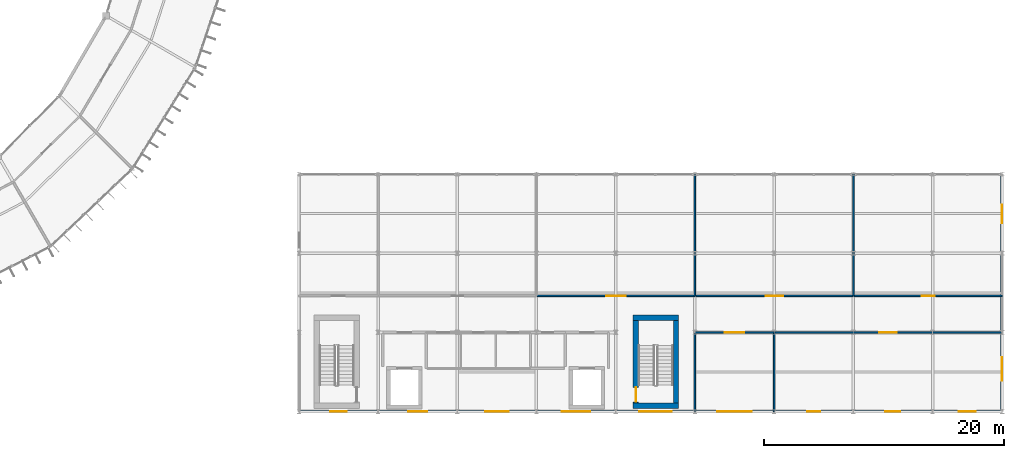
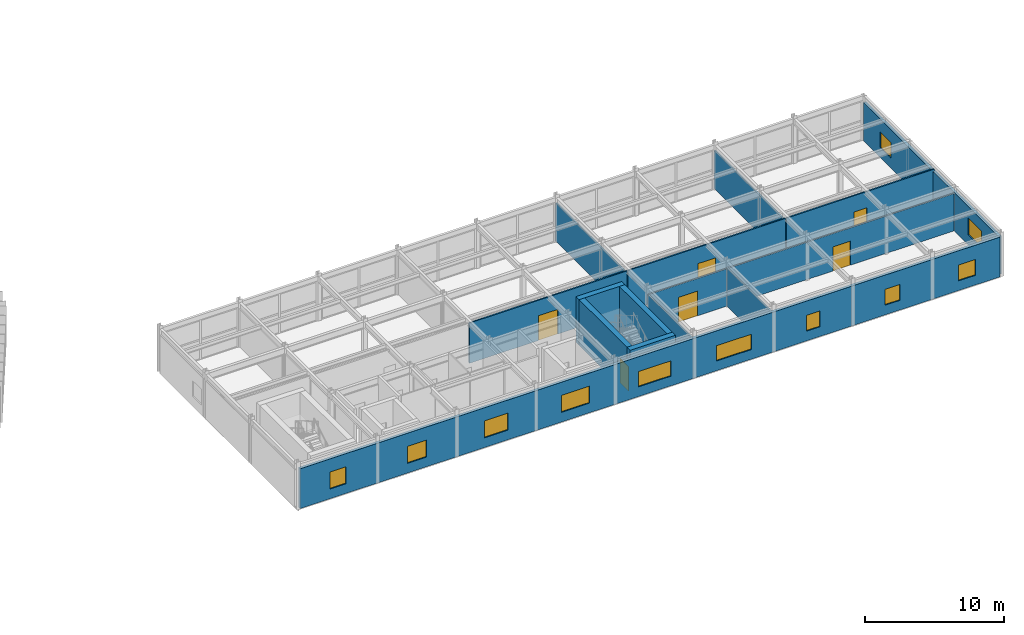
# One storey, part 122 of 134: 15 walls, 11 windows, 6 doors, 17 openings.
"""IFC4 building model written with IfcOpenShell, lengths in metres."""

from ifc_helpers import new_model, si_unit, direction, frame, frame_2d, origin, place, context, subcontext, project, spatial, rectangle, extrude, material, layer, layer_set, type_object, element, fill, save


model = new_model("IFC4")

# Units and contexts
model_context = context("Model", 3, precision=1e-05, world=origin(), true_north=direction((0.0, 1.0)))
body_context = subcontext(model_context, "Body", "Model", "MODEL_VIEW")
ifc_project = project(units=[si_unit("LENGTHUNIT", "METRE"), si_unit("AREAUNIT", "SQUARE_METRE"), si_unit("VOLUMEUNIT", "CUBIC_METRE"), si_unit("PLANEANGLEUNIT", "RADIAN"), si_unit("MASSUNIT", "GRAM", prefix="KILO")], contexts=[model_context])

# Site, building, storey
site_placement = place(None, origin())
site = spatial("IfcSite", under=ifc_project, at=site_placement, CompositionType="ELEMENT")
building_placement = place(site_placement, origin())
building = spatial("IfcBuilding", under=site, at=building_placement, Name="Karori Crest Natural Sciences Institute", CompositionType="ELEMENT")
storey_placement = place(building_placement, frame((0.0, 0.0, 21.699951171875)))
storey = spatial("IfcBuildingStorey", under=building, at=storey_placement, Name="L05", CompositionType="ELEMENT", Elevation=21.699951171875)

# Walls
ifc_material_1 = material(Name="Concrete 50 MPa", Category="concrete")
ifc_layer_1 = layer(ifc_material_1, 0.449951171875, Name="Concrete 50 MPa")
ifc_layer_set_1 = layer_set([ifc_layer_1], Name="Concrete 50 MPa")
wall_type_1 = type_object("IfcWallType", Name="IWT-01", PredefinedType="SHEAR", material=ifc_layer_set_1)
for number, where, z_axis, x_axis, name in (
    (1, (131.449951171875, 1.27490234375, 0.0), (0.0, 0.0, 1.0), (1.0, 0.0, 0.0), "Shear wall IW-0141"),
    (2, (131.449951171875, 8.625, 0.0), (0.0, 0.0, 1.0), (1.0, 0.0, 0.0), "Shear wall IW-0142"),
):
    element("IfcWall", number, at=place(storey_placement, frame(where, z_axis=z_axis, x_axis=x_axis)), inside=storey, type_object=wall_type_1, Name=name, PredefinedType="SHEAR", context=body_context, shape_type="SweptSolid", body=[
        extrude(rectangle(XDim=3.800048828125, YDim=0.449951171875, at=frame_2d((1.89990234375, 0.0))), origin(), (0.0, 0.0, 1.0), 4.02001953125),
    ])

# Wall, opening, door
wall_1_placement = place(storey_placement, frame((131.675048828125, 1.501953125, 0.0), z_axis=(0.0, 0.0, 1.0), x_axis=(0.0, 1.0, 0.0)))
wall_1 = element("IfcWall", 3, at=wall_1_placement, inside=storey, type_object=wall_type_1, Name="Shear wall IW-0143", PredefinedType="SHEAR", context=body_context, shape_type="SweptSolid", body=[
    extrude(rectangle(XDim=6.89599609375, YDim=0.449951171875, at=frame_2d((3.447998046875, 0.0))), origin(), (0.0, 0.0, 1.0), 4.02001953125),
])
opening_1_placement = place(wall_1_placement, frame((0.1201171875, 0.0, 0.0)))
opening_1 = element("IfcOpeningElement", 4, at=opening_1_placement, cuts=wall_1, Name="Opening ID-0036", PredefinedType="OPENING", context=body_context, shape_type="SweptSolid", body=[
    extrude(rectangle(XDim=1.199951171875, YDim=2.14990234375, at=frame_2d((0.60009765625, 1.074951171875))), frame((0.0, 0.23486328125, 0.0), z_axis=(0.0, -1.0, 0.0), x_axis=(1.0, 0.0, 0.0)), (0.0, 0.0, 1.0), 0.469970703125),
])
ifc_material_2 = material(Name="Stainless steel 316 and fire-rated timber", Category="steel")
door_type_1 = type_object("IfcDoorType", Name="IDT-01", OperationType="NOTDEFINED", PredefinedType="DOOR", material=ifc_material_2)
door_1_placement = place(opening_1_placement, origin())
door_1 = element("IfcDoor", 5, at=door_1_placement, inside=storey, type_object=door_type_1, Name="Stair ST-04 fire door ID-0036", OperationType="SINGLE_SWING_RIGHT", OverallHeight=2.14990234375, OverallWidth=1.199951171875, PredefinedType="DOOR", context=body_context, shape_type="SweptSolid", body=[
    extrude(rectangle(XDim=1.199951171875, YDim=2.14990234375, at=frame_2d((0.60009765625, 1.074951171875))), frame((0.0, 0.02490234375, 0.0), z_axis=(0.0, -1.0, 0.0), x_axis=(1.0, 0.0, 0.0)), (0.0, 0.0, 1.0), 0.050048828125),
])
fill(opening_1, door_1)

# Wall
wall_2_placement = place(storey_placement, frame((135.02490234375, 1.501953125, 0.0), z_axis=(0.0, 0.0, 1.0), x_axis=(0.0, 1.0, 0.0)))
element("IfcWall", 6, at=wall_2_placement, inside=storey, type_object=wall_type_1, Name="Shear wall IW-0144", PredefinedType="SHEAR", context=body_context, shape_type="SweptSolid", body=[
    extrude(rectangle(XDim=6.89599609375, YDim=0.449951171875, at=frame_2d((3.447998046875, 0.0))), origin(), (0.0, 0.0, 1.0), 4.02001953125),
])

# Wall, opening, door
ifc_material_3 = material(Name="Write-up office acoustic partition")
ifc_layer_2 = layer(ifc_material_3, 0.1201171875, Name="Write-up office acoustic partition")
ifc_layer_set_2 = layer_set([ifc_layer_2], Name="Write-up office acoustic partition")
wall_type_2 = type_object("IfcWallType", Name="IWT-08", PredefinedType="PARTITIONING", material=ifc_layer_set_2)
wall_3_placement = place(storey_placement, frame((136.60009765625, 7.39990234375, 0.0), z_axis=(0.0, 0.0, 1.0), x_axis=(1.0, 0.0, 0.0)))
wall_3 = element("IfcWall", 7, at=wall_3_placement, inside=storey, type_object=wall_type_2, Name="Partition wall IW-0739", PredefinedType="PARTITIONING", context=body_context, shape_type="SweptSolid", body=[
    extrude(rectangle(XDim=6.599853515625, YDim=0.1201171875, at=frame_2d((3.2998046875, 0.0))), origin(), (0.0, 0.0, 1.0), 3.29296875),
])
opening_2_placement = place(wall_3_placement, frame((2.5, 0.0, 0.0)))
opening_2 = element("IfcOpeningElement", 8, at=opening_2_placement, cuts=wall_3, Name="Opening ID-0155", PredefinedType="OPENING", context=body_context, shape_type="SweptSolid", body=[
    extrude(rectangle(XDim=1.60009765625, YDim=2.179931640625, at=frame_2d((0.800048828125, 1.08984375))), frame((0.0, 0.070068359375, 0.0), z_axis=(0.0, -1.0, 0.0), x_axis=(1.0, 0.0, 0.0)), (0.0, 0.0, 1.0), 0.14013671875),
])
ifc_material_4 = material(Name="Anodised aluminium and acoustic timber", Category="wood")
door_type_2 = type_object("IfcDoorType", Name="IDT-13", OperationType="DOUBLE_DOOR_SINGLE_SWING", PredefinedType="DOOR", material=ifc_material_4)
door_2_placement = place(opening_2_placement, origin())
door_2 = element("IfcDoor", 9, at=door_2_placement, inside=storey, type_object=door_type_2, Name="Seminar Room door ID-0155", OperationType="DOUBLE_DOOR_SINGLE_SWING", OverallHeight=2.179931640625, OverallWidth=1.60009765625, PredefinedType="DOOR", context=body_context, shape_type="SweptSolid", body=[
    extrude(rectangle(XDim=1.60009765625, YDim=2.179931640625, at=frame_2d((0.800048828125, 1.08984375))), frame((0.0, 0.02490234375, 0.0), z_axis=(0.0, -1.0, 0.0), x_axis=(1.0, 0.0, 0.0)), (0.0, 0.0, 1.0), 0.050048828125),
])
fill(opening_2, door_2)

# Walls
wall_4_placement = place(storey_placement, frame((136.60009765625, 0.800048828125, 0.0), z_axis=(0.0, 0.0, 1.0), x_axis=(0.0, 1.0, 0.0)))
element("IfcWall", 10, at=wall_4_placement, inside=storey, type_object=wall_type_2, Name="Partition wall IW-0740", PredefinedType="PARTITIONING", context=body_context, shape_type="SweptSolid", body=[
    extrude(rectangle(XDim=6.537841796875, YDim=0.1201171875, at=frame_2d((3.26904296875, 0.0))), origin(), (0.0, 0.0, 1.0), 3.3720703125),
])
wall_5_placement = place(storey_placement, frame((143.199951171875, 0.800048828125, 0.0), z_axis=(0.0, 0.0, 1.0), x_axis=(0.0, 1.0, 0.0)))
element("IfcWall", 11, at=wall_5_placement, inside=storey, type_object=wall_type_2, Name="Partition wall IW-0741", PredefinedType="PARTITIONING", context=body_context, shape_type="SweptSolid", body=[
    extrude(rectangle(XDim=6.599853515625, YDim=0.1201171875, at=frame_2d((3.2998046875, 0.0))), origin(), (0.0, 0.0, 1.0), 3.3720703125),
])

# Wall, opening, door
wall_6_placement = place(storey_placement, frame((143.201904296875, 7.39990234375, 0.0), z_axis=(0.0, 0.0, 1.0), x_axis=(1.0, 0.0, 0.0)))
wall_6 = element("IfcWall", 12, at=wall_6_placement, inside=storey, type_object=wall_type_2, Name="Partition wall IW-0742", PredefinedType="PARTITIONING", context=body_context, shape_type="SweptSolid", body=[
    extrude(rectangle(XDim=18.998046875, YDim=0.1201171875, at=frame_2d((9.4990234375, 0.0))), origin(), (0.0, 0.0, 1.0), 3.29296875),
])
opening_3_placement = place(wall_6_placement, frame((8.77392578125, 0.0, 0.0)))
opening_3 = element("IfcOpeningElement", 13, at=opening_3_placement, cuts=wall_6, Name="Opening ID-0156", PredefinedType="OPENING", context=body_context, shape_type="SweptSolid", body=[
    extrude(rectangle(XDim=1.449951171875, YDim=2.1201171875, at=frame_2d((0.72509765625, 1.06005859375))), frame((0.0, 0.070068359375, 0.0), z_axis=(0.0, -1.0, 0.0), x_axis=(1.0, 0.0, 0.0)), (0.0, 0.0, 1.0), 0.14013671875),
])
door_type_3 = type_object("IfcDoorType", Name="IDT-11", OperationType="DOUBLE_DOOR_SINGLE_SWING", PredefinedType="DOOR", material=ifc_material_4)
door_3_placement = place(opening_3_placement, origin())
door_3 = element("IfcDoor", 14, at=door_3_placement, inside=storey, type_object=door_type_3, Name="Colloquium Suite door ID-0156", OperationType="DOUBLE_DOOR_SINGLE_SWING", OverallHeight=2.1201171875, OverallWidth=1.449951171875, PredefinedType="DOOR", context=body_context, shape_type="SweptSolid", body=[
    extrude(rectangle(XDim=1.449951171875, YDim=2.1201171875, at=frame_2d((0.72509765625, 1.06005859375))), frame((0.0, 0.02490234375, 0.0), z_axis=(0.0, -1.0, 0.0), x_axis=(1.0, 0.0, 0.0)), (0.0, 0.0, 1.0), 0.050048828125),
])
fill(opening_3, door_3)

wall_7_placement = place(storey_placement, frame((123.4619140625, 10.449951171875, 0.0), z_axis=(0.0, 0.0, 1.0), x_axis=(1.0, 0.0, 0.0)))
wall_7 = element("IfcWall", 15, at=wall_7_placement, inside=storey, type_object=wall_type_2, Name="Partition wall IW-0747", PredefinedType="PARTITIONING", context=body_context, shape_type="SweptSolid", body=[
    extrude(rectangle(XDim=13.13818359375, YDim=0.1201171875, at=frame_2d((6.569091796875, 0.0))), origin(), (0.0, 0.0, 1.0), 3.546142578125),
])
opening_4_placement = place(wall_7_placement, frame((5.76904296875, 0.0, 0.0)))
opening_4 = element("IfcOpeningElement", 16, at=opening_4_placement, cuts=wall_7, Name="Opening ID-0159", PredefinedType="OPENING", context=body_context, shape_type="SweptSolid", body=[
    extrude(rectangle(XDim=1.60009765625, YDim=2.179931640625, at=frame_2d((0.800048828125, 1.08984375))), frame((0.0, 0.070068359375, 0.0), z_axis=(0.0, -1.0, 0.0), x_axis=(1.0, 0.0, 0.0)), (0.0, 0.0, 1.0), 0.14013671875),
])
door_4_placement = place(opening_4_placement, origin())
door_4 = element("IfcDoor", 17, at=door_4_placement, inside=storey, type_object=door_type_2, Name="Research Library Reading Room door ID-0159", OperationType="DOUBLE_DOOR_SINGLE_SWING", OverallHeight=2.179931640625, OverallWidth=1.60009765625, PredefinedType="DOOR", context=body_context, shape_type="SweptSolid", body=[
    extrude(rectangle(XDim=1.60009765625, YDim=2.179931640625, at=frame_2d((0.800048828125, 1.08984375))), frame((0.0, 0.02490234375, 0.0), z_axis=(0.0, -1.0, 0.0), x_axis=(1.0, 0.0, 0.0)), (0.0, 0.0, 1.0), 0.050048828125),
])
fill(opening_4, door_4)

# Wall
wall_8_placement = place(storey_placement, frame((136.60009765625, 10.449951171875, 0.0), z_axis=(0.0, 0.0, 1.0), x_axis=(0.0, 1.0, 0.0)))
element("IfcWall", 18, at=wall_8_placement, inside=storey, type_object=wall_type_2, Name="Partition wall IW-0748", PredefinedType="PARTITIONING", context=body_context, shape_type="SweptSolid", body=[
    extrude(rectangle(XDim=10.150146484375, YDim=0.1201171875, at=frame_2d((5.0751953125, 0.0))), origin(), (0.0, 0.0, 1.0), 3.3720703125),
])

# Wall, opening, door
wall_9_placement = place(storey_placement, frame((136.662109375, 10.449951171875, 0.0), z_axis=(0.0, 0.0, 1.0), x_axis=(1.0, 0.0, 0.0)))
wall_9 = element("IfcWall", 19, at=wall_9_placement, inside=storey, type_object=wall_type_2, Name="Partition wall IW-0749", PredefinedType="PARTITIONING", context=body_context, shape_type="SweptSolid", body=[
    extrude(rectangle(XDim=13.137939453125, YDim=0.1201171875, at=frame_2d((6.56884765625, 0.0))), origin(), (0.0, 0.0, 1.0), 3.546142578125),
])
opening_5_placement = place(wall_9_placement, frame((5.843994140625, 0.0, 0.0)))
opening_5 = element("IfcOpeningElement", 20, at=opening_5_placement, cuts=wall_9, Name="Opening ID-0160", PredefinedType="OPENING", context=body_context, shape_type="SweptSolid", body=[
    extrude(rectangle(XDim=1.449951171875, YDim=2.1201171875, at=frame_2d((0.72509765625, 1.06005859375))), frame((0.0, 0.070068359375, 0.0), z_axis=(0.0, -1.0, 0.0), x_axis=(1.0, 0.0, 0.0)), (0.0, 0.0, 1.0), 0.14013671875),
])
door_5_placement = place(opening_5_placement, origin())
door_5 = element("IfcDoor", 21, at=door_5_placement, inside=storey, type_object=door_type_3, Name="Colloquium Suite door ID-0160", OperationType="DOUBLE_DOOR_SINGLE_SWING", OverallHeight=2.1201171875, OverallWidth=1.449951171875, PredefinedType="DOOR", context=body_context, shape_type="SweptSolid", body=[
    extrude(rectangle(XDim=1.449951171875, YDim=2.1201171875, at=frame_2d((0.72509765625, 1.06005859375))), frame((0.0, 0.02490234375, 0.0), z_axis=(0.0, -1.0, 0.0), x_axis=(1.0, 0.0, 0.0)), (0.0, 0.0, 1.0), 0.050048828125),
])
fill(opening_5, door_5)

# Wall
wall_10_placement = place(storey_placement, frame((149.800048828125, 10.449951171875, 0.0), z_axis=(0.0, 0.0, 1.0), x_axis=(0.0, 1.0, 0.0)))
element("IfcWall", 22, at=wall_10_placement, inside=storey, type_object=wall_type_2, Name="Partition wall IW-0750", PredefinedType="PARTITIONING", context=body_context, shape_type="SweptSolid", body=[
    extrude(rectangle(XDim=10.150146484375, YDim=0.1201171875, at=frame_2d((5.0751953125, 0.0))), origin(), (0.0, 0.0, 1.0), 3.3720703125),
])

# Wall, opening, door
wall_11_placement = place(storey_placement, frame((149.862060546875, 10.449951171875, 0.0), z_axis=(0.0, 0.0, 1.0), x_axis=(1.0, 0.0, 0.0)))
wall_11 = element("IfcWall", 23, at=wall_11_placement, inside=storey, type_object=wall_type_2, Name="Partition wall IW-0751", PredefinedType="PARTITIONING", context=body_context, shape_type="SweptSolid", body=[
    extrude(rectangle(XDim=12.337890625, YDim=0.1201171875, at=frame_2d((6.1689453125, 0.0))), origin(), (0.0, 0.0, 1.0), 3.546142578125),
])
opening_6_placement = place(wall_11_placement, frame((5.62890625, 0.0, 0.0)))
opening_6 = element("IfcOpeningElement", 24, at=opening_6_placement, cuts=wall_11, Name="Opening ID-0161", PredefinedType="OPENING", context=body_context, shape_type="SweptSolid", body=[
    extrude(rectangle(XDim=1.080078125, YDim=2.1201171875, at=frame_2d((0.5400390625, 1.06005859375))), frame((0.0, 0.070068359375, 0.0), z_axis=(0.0, -1.0, 0.0), x_axis=(1.0, 0.0, 0.0)), (0.0, 0.0, 1.0), 0.14013671875),
])
door_type_4 = type_object("IfcDoorType", Name="IDT-12", OperationType="NOTDEFINED", PredefinedType="DOOR", material=ifc_material_4)
door_6_placement = place(opening_6_placement, origin())
door_6 = element("IfcDoor", 25, at=door_6_placement, inside=storey, type_object=door_type_4, Name="Principal Investigator Suite door ID-0161", OperationType="SINGLE_SWING_LEFT", OverallHeight=2.1201171875, OverallWidth=1.080078125, PredefinedType="DOOR", context=body_context, shape_type="SweptSolid", body=[
    extrude(rectangle(XDim=1.080078125, YDim=2.1201171875, at=frame_2d((0.5400390625, 1.06005859375))), frame((0.0, 0.02490234375, 0.0), z_axis=(0.0, -1.0, 0.0), x_axis=(1.0, 0.0, 0.0)), (0.0, 0.0, 1.0), 0.050048828125),
])
fill(opening_6, door_6)

# Wall, openings, windows
ifc_material_5 = material(Name="Precast concrete 40 MPa", Category="concrete")
ifc_layer_3 = layer(ifc_material_5, 0.239990234375, Name="Precast concrete 40 MPa")
ifc_layer_set_3 = layer_set([ifc_layer_3], Name="Precast concrete 40 MPa")
wall_type_3 = type_object("IfcWallType", Name="WT-04", PredefinedType="SOLIDWALL", material=ifc_layer_set_3)
wall_12_placement = place(storey_placement, frame((162.199951171875, 20.4384765625, 0.0), z_axis=(0.0, 0.0, 1.0), x_axis=(0.0, -1.0, 0.0)))
wall_12 = element("IfcWall", 26, at=wall_12_placement, inside=storey, type_object=wall_type_3, Name="Exterior wall EW-0210", PredefinedType="SOLIDWALL", context=body_context, shape_type="SweptSolid", body=[
    extrude(rectangle(XDim=19.47705078125, YDim=0.239990234375, at=frame_2d((9.738525390625, 0.0))), origin(), (0.0, 0.0, 1.0), 3.3720703125),
])
opening_7_placement = place(wall_12_placement, frame((2.39990234375, 0.0, 0.85009765625)))
opening_7 = element("IfcOpeningElement", 27, at=opening_7_placement, cuts=wall_12, Name="Opening WN-0181", PredefinedType="OPENING", context=body_context, shape_type="SweptSolid", body=[
    extrude(rectangle(XDim=1.550048828125, YDim=1.39990234375, at=frame_2d((0.77490234375, 0.699951171875))), frame((0.0, 0.1298828125, 0.0), z_axis=(0.0, -1.0, 0.0), x_axis=(1.0, 0.0, 0.0)), (0.0, 0.0, 1.0), 0.260009765625),
])
opening_8_placement = place(wall_12_placement, frame((15.10009765625, 0.0, 0.85009765625)))
opening_8 = element("IfcOpeningElement", 28, at=opening_8_placement, cuts=wall_12, Name="Opening WN-0182", PredefinedType="OPENING", context=body_context, shape_type="SweptSolid", body=[
    extrude(rectangle(XDim=1.949951171875, YDim=1.5, at=frame_2d((0.97509765625, 0.75))), frame((0.0, 0.1298828125, 0.0), z_axis=(0.0, -1.0, 0.0), x_axis=(1.0, 0.0, 0.0)), (0.0, 0.0, 1.0), 0.260009765625),
])
ifc_material_6 = material(Name="Double low-E laminated glass", Category="glass")
window_type_1 = type_object("IfcWindowType", Name="WNT-04", PartitioningType="SINGLE_PANEL", PredefinedType="WINDOW", material=ifc_material_6)
window_1_placement = place(opening_7_placement, origin())
window_1 = element("IfcWindow", 29, at=window_1_placement, inside=storey, type_object=window_type_1, Name="Window WN-0181", OverallHeight=1.39990234375, OverallWidth=1.550048828125, PartitioningType="SINGLE_PANEL", PredefinedType="WINDOW", context=body_context, shape_type="SweptSolid", body=[
    extrude(rectangle(XDim=1.550048828125, YDim=1.39990234375, at=frame_2d((0.77490234375, 0.699951171875))), frame((0.0, 0.030029296875, 0.0), z_axis=(0.0, -1.0, 0.0), x_axis=(1.0, 0.0, 0.0)), (0.0, 0.0, 1.0), 0.06005859375),
])
fill(opening_7, window_1)
window_type_2 = type_object("IfcWindowType", Name="WNT-21", PartitioningType="SINGLE_PANEL", PredefinedType="WINDOW", material=ifc_material_6)
window_2_placement = place(opening_8_placement, origin())
window_2 = element("IfcWindow", 30, at=window_2_placement, inside=storey, type_object=window_type_2, Name="Window WN-0182", OverallHeight=1.5, OverallWidth=1.949951171875, PartitioningType="SINGLE_PANEL", PredefinedType="WINDOW", context=body_context, shape_type="SweptSolid", body=[
    extrude(rectangle(XDim=1.949951171875, YDim=1.5, at=frame_2d((0.97509765625, 0.75))), frame((0.0, 0.030029296875, 0.0), z_axis=(0.0, -1.0, 0.0), x_axis=(1.0, 0.0, 0.0)), (0.0, 0.0, 1.0), 0.06005859375),
])
fill(opening_8, window_2)

wall_13_placement = place(storey_placement, frame((162.04638671875, 0.800048828125, 0.0), z_axis=(0.0, 0.0, 1.0), x_axis=(-1.0, 0.0, 0.0)))
wall_13 = element("IfcWall", 31, at=wall_13_placement, inside=storey, type_object=wall_type_3, Name="Exterior wall EW-0211", PredefinedType="SOLIDWALL", context=body_context, shape_type="SweptSolid", body=[
    extrude(rectangle(XDim=58.29296875, YDim=0.239990234375, at=frame_2d((29.146484375, 0.0))), origin(), (0.0, 0.0, 1.0), 3.505126953125),
])
opening_9_placement = place(wall_13_placement, frame((54.471435546875, 0.0, 0.85009765625)))
opening_9 = element("IfcOpeningElement", 32, at=opening_9_placement, cuts=wall_13, Name="Opening WN-0183", PredefinedType="OPENING", context=body_context, shape_type="SweptSolid", body=[
    extrude(rectangle(XDim=1.35009765625, YDim=1.5, at=frame_2d((0.675048828125, 0.75))), frame((0.0, 0.1298828125, 0.0), z_axis=(0.0, -1.0, 0.0), x_axis=(1.0, 0.0, 0.0)), (0.0, 0.0, 1.0), 0.260009765625),
])
opening_10_placement = place(wall_13_placement, frame((47.74658203125, 0.0, 0.85009765625)))
opening_10 = element("IfcOpeningElement", 33, at=opening_10_placement, cuts=wall_13, Name="Opening WN-0184", PredefinedType="OPENING", context=body_context, shape_type="SweptSolid", body=[
    extrude(rectangle(XDim=1.60009765625, YDim=1.5, at=frame_2d((0.800048828125, 0.75))), frame((0.0, 0.1298828125, 0.0), z_axis=(0.0, -1.0, 0.0), x_axis=(1.0, 0.0, 0.0)), (0.0, 0.0, 1.0), 0.260009765625),
])
opening_11_placement = place(wall_13_placement, frame((40.971435546875, 0.0, 0.85009765625)))
opening_11 = element("IfcOpeningElement", 34, at=opening_11_placement, cuts=wall_13, Name="Opening WN-0185", PredefinedType="OPENING", context=body_context, shape_type="SweptSolid", body=[
    extrude(rectangle(XDim=1.949951171875, YDim=1.5, at=frame_2d((0.97509765625, 0.75))), frame((0.0, 0.1298828125, 0.0), z_axis=(0.0, -1.0, 0.0), x_axis=(1.0, 0.0, 0.0)), (0.0, 0.0, 1.0), 0.260009765625),
])
opening_12_placement = place(wall_13_placement, frame((34.17138671875, 0.0, 0.85009765625)))
opening_12 = element("IfcOpeningElement", 35, at=opening_12_placement, cuts=wall_13, Name="Opening WN-0186", PredefinedType="OPENING", context=body_context, shape_type="SweptSolid", body=[
    extrude(rectangle(XDim=2.35009765625, YDim=1.5, at=frame_2d((1.175048828125, 0.75))), frame((0.0, 0.1298828125, 0.0), z_axis=(0.0, -1.0, 0.0), x_axis=(1.0, 0.0, 0.0)), (0.0, 0.0, 1.0), 0.260009765625),
])
opening_13_placement = place(wall_13_placement, frame((27.396484375, 0.0, 0.85009765625)))
opening_13 = element("IfcOpeningElement", 36, at=opening_13_placement, cuts=wall_13, Name="Opening WN-0187", PredefinedType="OPENING", context=body_context, shape_type="SweptSolid", body=[
    extrude(rectangle(XDim=2.699951171875, YDim=1.35009765625, at=frame_2d((1.35009765625, 0.675048828125))), frame((0.0, 0.1298828125, 0.0), z_axis=(0.0, -1.0, 0.0), x_axis=(1.0, 0.0, 0.0)), (0.0, 0.0, 1.0), 0.260009765625),
])
opening_14_placement = place(wall_13_placement, frame((20.696533203125, 0.0, 0.85009765625)))
opening_14 = element("IfcOpeningElement", 37, at=opening_14_placement, cuts=wall_13, Name="Opening WN-0188", PredefinedType="OPENING", context=body_context, shape_type="SweptSolid", body=[
    extrude(rectangle(XDim=2.89990234375, YDim=1.35009765625, at=frame_2d((1.449951171875, 0.675048828125))), frame((0.0, 0.1298828125, 0.0), z_axis=(0.0, -1.0, 0.0), x_axis=(1.0, 0.0, 0.0)), (0.0, 0.0, 1.0), 0.260009765625),
])
opening_15_placement = place(wall_13_placement, frame((14.99658203125, 0.0, 0.85009765625)))
opening_15 = element("IfcOpeningElement", 38, at=opening_15_placement, cuts=wall_13, Name="Opening WN-0189", PredefinedType="OPENING", context=body_context, shape_type="SweptSolid", body=[
    extrude(rectangle(XDim=1.10009765625, YDim=1.39990234375, at=frame_2d((0.550048828125, 0.699951171875))), frame((0.0, 0.1298828125, 0.0), z_axis=(0.0, -1.0, 0.0), x_axis=(1.0, 0.0, 0.0)), (0.0, 0.0, 1.0), 0.260009765625),
])
opening_16_placement = place(wall_13_placement, frame((8.321533203125, 0.0, 0.85009765625)))
opening_16 = element("IfcOpeningElement", 39, at=opening_16_placement, cuts=wall_13, Name="Opening WN-0190", PredefinedType="OPENING", context=body_context, shape_type="SweptSolid", body=[
    extrude(rectangle(XDim=1.25, YDim=1.39990234375, at=frame_2d((0.625, 0.699951171875))), frame((0.0, 0.1298828125, 0.0), z_axis=(0.0, -1.0, 0.0), x_axis=(1.0, 0.0, 0.0)), (0.0, 0.0, 1.0), 0.260009765625),
])
opening_17_placement = place(wall_13_placement, frame((2.04638671875, 0.0, 0.85009765625)))
opening_17 = element("IfcOpeningElement", 40, at=opening_17_placement, cuts=wall_13, Name="Opening WN-0191", PredefinedType="OPENING", context=body_context, shape_type="SweptSolid", body=[
    extrude(rectangle(XDim=1.39990234375, YDim=1.39990234375, at=frame_2d((0.699951171875, 0.699951171875))), frame((0.0, 0.1298828125, 0.0), z_axis=(0.0, -1.0, 0.0), x_axis=(1.0, 0.0, 0.0)), (0.0, 0.0, 1.0), 0.260009765625),
])
window_type_3 = type_object("IfcWindowType", Name="WNT-01", PartitioningType="SINGLE_PANEL", PredefinedType="WINDOW", material=ifc_material_6)
window_3_placement = place(opening_15_placement, origin())
window_3 = element("IfcWindow", 41, at=window_3_placement, inside=storey, type_object=window_type_3, Name="Window WN-0189", OverallHeight=1.39990234375, OverallWidth=1.10009765625, PartitioningType="SINGLE_PANEL", PredefinedType="WINDOW", context=body_context, shape_type="SweptSolid", body=[
    extrude(rectangle(XDim=1.10009765625, YDim=1.39990234375, at=frame_2d((0.550048828125, 0.699951171875))), frame((0.0, 0.030029296875, 0.0), z_axis=(0.0, -1.0, 0.0), x_axis=(1.0, 0.0, 0.0)), (0.0, 0.0, 1.0), 0.06005859375),
])
fill(opening_15, window_3)
window_type_4 = type_object("IfcWindowType", Name="WNT-02", PartitioningType="SINGLE_PANEL", PredefinedType="WINDOW", material=ifc_material_6)
window_4_placement = place(opening_16_placement, origin())
window_4 = element("IfcWindow", 42, at=window_4_placement, inside=storey, type_object=window_type_4, Name="Window WN-0190", OverallHeight=1.39990234375, OverallWidth=1.25, PartitioningType="SINGLE_PANEL", PredefinedType="WINDOW", context=body_context, shape_type="SweptSolid", body=[
    extrude(rectangle(XDim=1.25, YDim=1.39990234375, at=frame_2d((0.625, 0.699951171875))), frame((0.0, 0.030029296875, 0.0), z_axis=(0.0, -1.0, 0.0), x_axis=(1.0, 0.0, 0.0)), (0.0, 0.0, 1.0), 0.06005859375),
])
fill(opening_16, window_4)
window_type_5 = type_object("IfcWindowType", Name="WNT-03", PartitioningType="SINGLE_PANEL", PredefinedType="WINDOW", material=ifc_material_6)
window_5_placement = place(opening_17_placement, origin())
window_5 = element("IfcWindow", 43, at=window_5_placement, inside=storey, type_object=window_type_5, Name="Window WN-0191", OverallHeight=1.39990234375, OverallWidth=1.39990234375, PartitioningType="SINGLE_PANEL", PredefinedType="WINDOW", context=body_context, shape_type="SweptSolid", body=[
    extrude(rectangle(XDim=1.39990234375, YDim=1.39990234375, at=frame_2d((0.699951171875, 0.699951171875))), frame((0.0, 0.030029296875, 0.0), z_axis=(0.0, -1.0, 0.0), x_axis=(1.0, 0.0, 0.0)), (0.0, 0.0, 1.0), 0.06005859375),
])
fill(opening_17, window_5)
window_type_6 = type_object("IfcWindowType", Name="WNT-19", PartitioningType="SINGLE_PANEL", PredefinedType="WINDOW", material=ifc_material_6)
window_6_placement = place(opening_9_placement, origin())
window_6 = element("IfcWindow", 44, at=window_6_placement, inside=storey, type_object=window_type_6, Name="Window WN-0183", OverallHeight=1.5, OverallWidth=1.35009765625, PartitioningType="SINGLE_PANEL", PredefinedType="WINDOW", context=body_context, shape_type="SweptSolid", body=[
    extrude(rectangle(XDim=1.35009765625, YDim=1.5, at=frame_2d((0.675048828125, 0.75))), frame((0.0, 0.030029296875, 0.0), z_axis=(0.0, -1.0, 0.0), x_axis=(1.0, 0.0, 0.0)), (0.0, 0.0, 1.0), 0.06005859375),
])
fill(opening_9, window_6)
window_type_7 = type_object("IfcWindowType", Name="WNT-20", PartitioningType="SINGLE_PANEL", PredefinedType="WINDOW", material=ifc_material_6)
window_7_placement = place(opening_10_placement, origin())
window_7 = element("IfcWindow", 45, at=window_7_placement, inside=storey, type_object=window_type_7, Name="Window WN-0184", OverallHeight=1.5, OverallWidth=1.60009765625, PartitioningType="SINGLE_PANEL", PredefinedType="WINDOW", context=body_context, shape_type="SweptSolid", body=[
    extrude(rectangle(XDim=1.60009765625, YDim=1.5, at=frame_2d((0.800048828125, 0.75))), frame((0.0, 0.030029296875, 0.0), z_axis=(0.0, -1.0, 0.0), x_axis=(1.0, 0.0, 0.0)), (0.0, 0.0, 1.0), 0.06005859375),
])
fill(opening_10, window_7)
window_8_placement = place(opening_11_placement, origin())
window_8 = element("IfcWindow", 46, at=window_8_placement, inside=storey, type_object=window_type_2, Name="Window WN-0185", OverallHeight=1.5, OverallWidth=1.949951171875, PartitioningType="SINGLE_PANEL", PredefinedType="WINDOW", context=body_context, shape_type="SweptSolid", body=[
    extrude(rectangle(XDim=1.949951171875, YDim=1.5, at=frame_2d((0.97509765625, 0.75))), frame((0.0, 0.030029296875, 0.0), z_axis=(0.0, -1.0, 0.0), x_axis=(1.0, 0.0, 0.0)), (0.0, 0.0, 1.0), 0.06005859375),
])
fill(opening_11, window_8)
window_type_8 = type_object("IfcWindowType", Name="WNT-22", PartitioningType="SINGLE_PANEL", PredefinedType="WINDOW", material=ifc_material_6)
window_9_placement = place(opening_12_placement, origin())
window_9 = element("IfcWindow", 47, at=window_9_placement, inside=storey, type_object=window_type_8, Name="Window WN-0186", OverallHeight=1.5, OverallWidth=2.35009765625, PartitioningType="SINGLE_PANEL", PredefinedType="WINDOW", context=body_context, shape_type="SweptSolid", body=[
    extrude(rectangle(XDim=2.35009765625, YDim=1.5, at=frame_2d((1.175048828125, 0.75))), frame((0.0, 0.030029296875, 0.0), z_axis=(0.0, -1.0, 0.0), x_axis=(1.0, 0.0, 0.0)), (0.0, 0.0, 1.0), 0.06005859375),
])
fill(opening_12, window_9)
window_type_9 = type_object("IfcWindowType", Name="WNT-23", PartitioningType="SINGLE_PANEL", PredefinedType="WINDOW", material=ifc_material_6)
window_10_placement = place(opening_13_placement, origin())
window_10 = element("IfcWindow", 48, at=window_10_placement, inside=storey, type_object=window_type_9, Name="Window WN-0187", OverallHeight=1.35009765625, OverallWidth=2.699951171875, PartitioningType="SINGLE_PANEL", PredefinedType="WINDOW", context=body_context, shape_type="SweptSolid", body=[
    extrude(rectangle(XDim=2.699951171875, YDim=1.35009765625, at=frame_2d((1.35009765625, 0.675048828125))), frame((0.0, 0.030029296875, 0.0), z_axis=(0.0, -1.0, 0.0), x_axis=(1.0, 0.0, 0.0)), (0.0, 0.0, 1.0), 0.06005859375),
])
fill(opening_13, window_10)
window_type_10 = type_object("IfcWindowType", Name="WNT-24", PartitioningType="SINGLE_PANEL", PredefinedType="WINDOW", material=ifc_material_6)
window_11_placement = place(opening_14_placement, origin())
window_11 = element("IfcWindow", 49, at=window_11_placement, inside=storey, type_object=window_type_10, Name="Window WN-0188", OverallHeight=1.35009765625, OverallWidth=2.89990234375, PartitioningType="SINGLE_PANEL", PredefinedType="WINDOW", context=body_context, shape_type="SweptSolid", body=[
    extrude(rectangle(XDim=2.89990234375, YDim=1.35009765625, at=frame_2d((1.449951171875, 0.675048828125))), frame((0.0, 0.030029296875, 0.0), z_axis=(0.0, -1.0, 0.0), x_axis=(1.0, 0.0, 0.0)), (0.0, 0.0, 1.0), 0.06005859375),
])
fill(opening_14, window_11)

save(model, "model.ifc")
